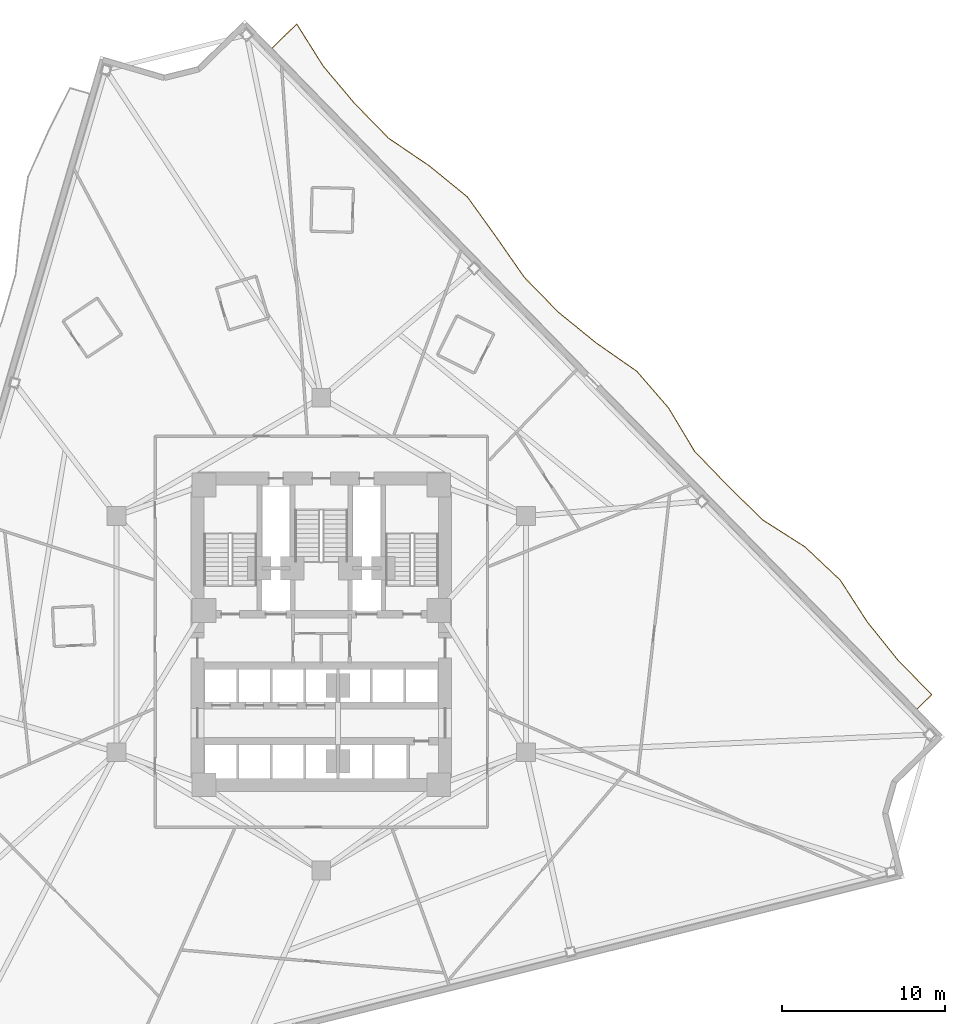
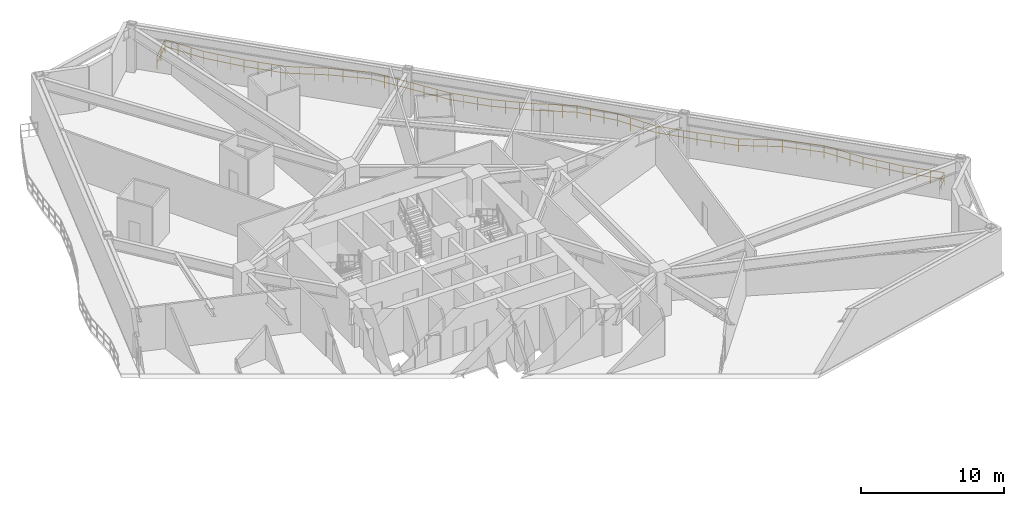
# One storey, part 9 of 9: 1 railing.
"""IFC4 building model written with IfcOpenShell, lengths in metres."""

from ifc_helpers import new_model, si_unit, direction, frame, origin, origin_2d, place, context, subcontext, project, spatial, rectangle, extrude, material, type_object, element, save


model = new_model("IFC4")

# Units and contexts
model_context = context("Model", 3, precision=1e-05, world=origin(), true_north=direction((0.0, 1.0)))
body_context = subcontext(model_context, "Body", "Model", "MODEL_VIEW")
ifc_project = project(units=[si_unit("LENGTHUNIT", "METRE"), si_unit("AREAUNIT", "SQUARE_METRE"), si_unit("VOLUMEUNIT", "CUBIC_METRE"), si_unit("PLANEANGLEUNIT", "RADIAN"), si_unit("MASSUNIT", "GRAM", prefix="KILO")], contexts=[model_context])

# Site, building, storey
site_placement = place(None, origin())
site = spatial("IfcSite", under=ifc_project, at=site_placement, CompositionType="ELEMENT")
building_placement = place(site_placement, origin())
building = spatial("IfcBuilding", under=site, at=building_placement, Name="Apsidion Concourse Tower", CompositionType="ELEMENT")
storey_placement = place(building_placement, frame((0.0, 0.0, 103.0)))
storey = spatial("IfcBuildingStorey", under=building, at=storey_placement, Name="L23", CompositionType="ELEMENT", Elevation=103.0)

# Railing
ifc_material = material(Name="Brushed stainless steel 316", Category="steel")
railing_type = type_object("IfcRailingType", Name="RL-BAL-1120", PredefinedType="BALUSTRADE", material=ifc_material)
railing_placement = place(storey_placement, frame((-3.018310546875, 35.96728515625, 0.0)))
element("IfcRailing", 1, at=railing_placement, inside=storey, type_object=railing_type, Name="L23 Face 3 Rippling Balcony Balustrade", PredefinedType="BALUSTRADE", context=body_context, shape_type="SweptSolid", body=[
    extrude(rectangle(XDim=0.048095703125, YDim=0.048095703125, at=origin_2d()), frame((0.0, 0.0, 1.09619140625), z_axis=(0.715601695949, 0.698508563122, 0.0), x_axis=(-0.698508563122, 0.715601695949, 0.0)), (0.0, 0.0, 1.0), 2.11376953125),
    extrude(rectangle(XDim=0.048095703125, YDim=0.048095703125, at=origin_2d()), frame((0.0, 0.0, 0.5361328125), z_axis=(0.715601695949, 0.698508563122, 0.0), x_axis=(-0.698508563122, 0.715601695949, 0.0)), (0.0, 0.0, 1.0), 2.11376953125),
    extrude(rectangle(XDim=0.048095703125, YDim=0.048095703125, at=origin_2d()), frame((1.5126953125, 1.4765625, 1.09619140625), z_axis=(0.532233811045, -0.846597407497, 0.0), x_axis=(0.846597407497, 0.532233811045, 0.0)), (0.0, 0.0, 1.0), 3.05126953125),
    extrude(rectangle(XDim=0.048095703125, YDim=0.048095703125, at=origin_2d()), frame((1.5126953125, 1.4765625, 0.5361328125), z_axis=(0.532233811045, -0.846597407497, 0.0), x_axis=(0.846597407497, 0.532233811045, 0.0)), (0.0, 0.0, 1.0), 3.05126953125),
    extrude(rectangle(XDim=0.048095703125, YDim=0.048095703125, at=origin_2d()), frame((3.13671875, -1.106689453125, 1.09619140625), z_axis=(0.643502133269, -0.76544431834, 0.0), x_axis=(0.76544431834, 0.643502133269, 0.0)), (0.0, 0.0, 1.0), 2.9912109375),
    extrude(rectangle(XDim=0.048095703125, YDim=0.048095703125, at=origin_2d()), frame((3.13671875, -1.106689453125, 0.5361328125), z_axis=(0.643502133269, -0.76544431834, 0.0), x_axis=(0.76544431834, 0.643502133269, 0.0)), (0.0, 0.0, 1.0), 2.9912109375),
    extrude(rectangle(XDim=0.048095703125, YDim=0.048095703125, at=origin_2d()), frame((5.0615234375, -3.396240234375, 1.09619140625), z_axis=(0.698460887015, -0.715648230145, 0.0), x_axis=(0.715648230145, 0.698460887015, 0.0)), (0.0, 0.0, 1.0), 2.98291015625),
    extrude(rectangle(XDim=0.048095703125, YDim=0.048095703125, at=origin_2d()), frame((5.0615234375, -3.396240234375, 0.5361328125), z_axis=(0.698460887015, -0.715648230145, 0.0), x_axis=(0.715648230145, 0.698460887015, 0.0)), (0.0, 0.0, 1.0), 2.98291015625),
    extrude(rectangle(XDim=0.048095703125, YDim=0.048095703125, at=origin_2d()), frame((7.14501953125, -5.531005859375, 1.09619140625), z_axis=(0.827332019619, -0.561713209132, 0.0), x_axis=(0.561713209132, 0.827332019619, 0.0)), (0.0, 0.0, 1.0), 3.044189453125),
    extrude(rectangle(XDim=0.048095703125, YDim=0.048095703125, at=origin_2d()), frame((7.14501953125, -5.531005859375, 0.5361328125), z_axis=(0.827332019619, -0.561713209132, 0.0), x_axis=(0.561713209132, 0.827332019619, 0.0)), (0.0, 0.0, 1.0), 3.044189453125),
    extrude(rectangle(XDim=0.048095703125, YDim=0.048095703125, at=origin_2d()), frame((9.66357421875, -7.240966796875, 1.09619140625), z_axis=(0.774891224857, -0.632094604976, 0.0), x_axis=(0.632094604976, 0.774891224857, 0.0)), (0.0, 0.0, 1.0), 3.002197265625),
    extrude(rectangle(XDim=0.048095703125, YDim=0.048095703125, at=origin_2d()), frame((9.66357421875, -7.240966796875, 0.5361328125), z_axis=(0.774891224857, -0.632094604976, 0.0), x_axis=(0.632094604976, 0.774891224857, 0.0)), (0.0, 0.0, 1.0), 3.002197265625),
    extrude(rectangle(XDim=0.048095703125, YDim=0.048095703125, at=origin_2d()), frame((11.989990234375, -9.138671875, 1.09619140625), z_axis=(0.583547668514, -0.812078886914, 0.0), x_axis=(0.812078886914, 0.583547668514, 0.0)), (0.0, 0.0, 1.0), 3.016845703125),
    extrude(rectangle(XDim=0.048095703125, YDim=0.048095703125, at=origin_2d()), frame((11.989990234375, -9.138671875, 0.5361328125), z_axis=(0.583547668514, -0.812078886914, 0.0), x_axis=(0.812078886914, 0.583547668514, 0.0)), (0.0, 0.0, 1.0), 3.016845703125),
    extrude(rectangle(XDim=0.048095703125, YDim=0.048095703125, at=origin_2d()), frame((13.75048828125, -11.588623046875, 1.09619140625), z_axis=(0.571705383629, -0.820458990035, 0.0), x_axis=(0.820458990035, 0.571705383629, 0.0)), (0.0, 0.0, 1.0), 3.02392578125),
    extrude(rectangle(XDim=0.048095703125, YDim=0.048095703125, at=origin_2d()), frame((13.75048828125, -11.588623046875, 0.5361328125), z_axis=(0.571705383629, -0.820458990035, 0.0), x_axis=(0.820458990035, 0.571705383629, 0.0)), (0.0, 0.0, 1.0), 3.02392578125),
    extrude(rectangle(XDim=0.048095703125, YDim=0.048095703125, at=origin_2d()), frame((15.479248046875, -14.069580078125, 1.09619140625), z_axis=(0.698501798427, -0.715608298998, 0.0), x_axis=(0.715608298998, 0.698501798427, 0.0)), (0.0, 0.0, 1.0), 2.98291015625),
    extrude(rectangle(XDim=0.048095703125, YDim=0.048095703125, at=origin_2d()), frame((15.479248046875, -14.069580078125, 0.5361328125), z_axis=(0.698501798427, -0.715608298998, 0.0), x_axis=(0.715608298998, 0.698501798427, 0.0)), (0.0, 0.0, 1.0), 2.98291015625),
    extrude(rectangle(XDim=0.048095703125, YDim=0.048095703125, at=origin_2d()), frame((17.562744140625, -16.2041015625, 1.09619140625), z_axis=(0.775758226565, -0.631030248021, 0.0), x_axis=(0.631030248021, 0.775758226565, 0.0)), (0.0, 0.0, 1.0), 3.002685546875),
    extrude(rectangle(XDim=0.048095703125, YDim=0.048095703125, at=origin_2d()), frame((17.562744140625, -16.2041015625, 0.5361328125), z_axis=(0.775758226565, -0.631030248021, 0.0), x_axis=(0.631030248021, 0.775758226565, 0.0)), (0.0, 0.0, 1.0), 3.002685546875),
    extrude(rectangle(XDim=0.048095703125, YDim=0.048095703125, at=origin_2d()), frame((19.89208984375, -18.098876953125, 1.09619140625), z_axis=(0.820574101382, -0.571540150943, 0.0), x_axis=(0.571540150943, 0.820574101382, 0.0)), (0.0, 0.0, 1.0), 3.037109375),
    extrude(rectangle(XDim=0.048095703125, YDim=0.048095703125, at=origin_2d()), frame((19.89208984375, -18.098876953125, 0.5361328125), z_axis=(0.820574101382, -0.571540150943, 0.0), x_axis=(0.571540150943, 0.820574101382, 0.0)), (0.0, 0.0, 1.0), 3.037109375),
    extrude(rectangle(XDim=0.048095703125, YDim=0.048095703125, at=origin_2d()), frame((22.38427734375, -19.834716796875, 1.09619140625), z_axis=(0.654155722508, -0.756359894964, 0.0), x_axis=(0.756359894964, 0.654155722508, 0.0)), (0.0, 0.0, 1.0), 2.98828125),
    extrude(rectangle(XDim=0.048095703125, YDim=0.048095703125, at=origin_2d()), frame((22.38427734375, -19.834716796875, 0.5361328125), z_axis=(0.654155722508, -0.756359894964, 0.0), x_axis=(0.756359894964, 0.654155722508, 0.0)), (0.0, 0.0, 1.0), 2.98828125),
    extrude(rectangle(XDim=0.048095703125, YDim=0.048095703125, at=origin_2d()), frame((24.339111328125, -22.094970703125, 1.09619140625), z_axis=(0.513511946828, -0.858082443862, 0.0), x_axis=(0.858082443862, 0.513511946828, 0.0)), (0.0, 0.0, 1.0), 3.066650390625),
    extrude(rectangle(XDim=0.048095703125, YDim=0.048095703125, at=origin_2d()), frame((24.339111328125, -22.094970703125, 0.5361328125), z_axis=(0.513511946828, -0.858082443862, 0.0), x_axis=(0.858082443862, 0.513511946828, 0.0)), (0.0, 0.0, 1.0), 3.066650390625),
    extrude(rectangle(XDim=0.048095703125, YDim=0.048095703125, at=origin_2d()), frame((25.913818359375, -24.726318359375, 1.09619140625), z_axis=(0.692889511455, -0.721043774618, 0.0), x_axis=(0.721043774618, 0.692889511455, 0.0)), (0.0, 0.0, 1.0), 2.98291015625),
    extrude(rectangle(XDim=0.048095703125, YDim=0.048095703125, at=origin_2d()), frame((25.913818359375, -24.726318359375, 0.5361328125), z_axis=(0.692889511455, -0.721043774618, 0.0), x_axis=(0.721043774618, 0.692889511455, 0.0)), (0.0, 0.0, 1.0), 2.98291015625),
    extrude(rectangle(XDim=0.048095703125, YDim=0.048095703125, at=origin_2d()), frame((27.980712890625, -26.877197265625, 1.09619140625), z_axis=(0.715403763463, -0.698711281735, 0.0), x_axis=(0.698711281735, 0.715403763463, 0.0)), (0.0, 0.0, 1.0), 2.983642578125),
    extrude(rectangle(XDim=0.048095703125, YDim=0.048095703125, at=origin_2d()), frame((27.980712890625, -26.877197265625, 0.5361328125), z_axis=(0.715403763463, -0.698711281735, 0.0), x_axis=(0.698711281735, 0.715403763463, 0.0)), (0.0, 0.0, 1.0), 2.983642578125),
    extrude(rectangle(XDim=0.048095703125, YDim=0.048095703125, at=origin_2d()), frame((30.115234375, -28.9619140625, 1.09619140625), z_axis=(0.843559764911, -0.537035308917, 0.0), x_axis=(0.537035308917, 0.843559764911, 0.0)), (0.0, 0.0, 1.0), 3.06396484375),
    extrude(rectangle(XDim=0.048095703125, YDim=0.048095703125, at=origin_2d()), frame((30.115234375, -28.9619140625, 0.5361328125), z_axis=(0.843559764911, -0.537035308917, 0.0), x_axis=(0.537035308917, 0.843559764911, 0.0)), (0.0, 0.0, 1.0), 3.06396484375),
    extrude(rectangle(XDim=0.048095703125, YDim=0.048095703125, at=origin_2d()), frame((32.699951171875, -30.607421875, 1.09619140625), z_axis=(0.727532261675, -0.686073471446, 0.0), x_axis=(0.686073471446, 0.727532261675, 0.0)), (0.0, 0.0, 1.0), 2.985595703125),
    extrude(rectangle(XDim=0.048095703125, YDim=0.048095703125, at=origin_2d()), frame((32.699951171875, -30.607421875, 0.5361328125), z_axis=(0.727532261675, -0.686073471446, 0.0), x_axis=(0.686073471446, 0.727532261675, 0.0)), (0.0, 0.0, 1.0), 2.985595703125),
    extrude(rectangle(XDim=0.048095703125, YDim=0.048095703125, at=origin_2d()), frame((34.8720703125, -32.65576171875, 1.09619140625), z_axis=(0.542515996891, -0.840045470863, 0.0), x_axis=(0.840045470863, 0.542515996891, 0.0)), (0.0, 0.0, 1.0), 3.04345703125),
    extrude(rectangle(XDim=0.048095703125, YDim=0.048095703125, at=origin_2d()), frame((34.8720703125, -32.65576171875, 0.5361328125), z_axis=(0.542515996891, -0.840045470863, 0.0), x_axis=(0.840045470863, 0.542515996891, 0.0)), (0.0, 0.0, 1.0), 3.04345703125),
    extrude(rectangle(XDim=0.048095703125, YDim=0.048095703125, at=origin_2d()), frame((36.523193359375, -35.21240234375, 1.09619140625), z_axis=(0.62565812851, -0.78009736971, 0.0), x_axis=(0.78009736971, 0.62565812851, 0.0)), (0.0, 0.0, 1.0), 2.997314453125),
    extrude(rectangle(XDim=0.048095703125, YDim=0.048095703125, at=origin_2d()), frame((36.523193359375, -35.21240234375, 0.5361328125), z_axis=(0.62565812851, -0.78009736971, 0.0), x_axis=(0.78009736971, 0.62565812851, 0.0)), (0.0, 0.0, 1.0), 2.997314453125),
    extrude(rectangle(XDim=0.048095703125, YDim=0.048095703125, at=origin_2d()), frame((38.3984375, -37.550537109375, 1.09619140625), z_axis=(0.698460887015, -0.715648230145, 0.0), x_axis=(0.715648230145, 0.698460887015, 0.0)), (0.0, 0.0, 1.0), 2.98291015625),
    extrude(rectangle(XDim=0.048095703125, YDim=0.048095703125, at=origin_2d()), frame((38.3984375, -37.550537109375, 0.5361328125), z_axis=(0.698460887015, -0.715648230145, 0.0), x_axis=(0.715648230145, 0.698460887015, 0.0)), (0.0, 0.0, 1.0), 2.98291015625),
    extrude(rectangle(XDim=0.048095703125, YDim=0.048095703125, at=origin_2d()), frame((40.48193359375, -39.685302734375, 1.09619140625), z_axis=(-0.715648587439, -0.698460520929, 0.0), x_axis=(0.698460520929, -0.715648587439, 0.0)), (0.0, 0.0, 1.0), 1.25),
    extrude(rectangle(XDim=0.048095703125, YDim=0.048095703125, at=origin_2d()), frame((40.48193359375, -39.685302734375, 0.5361328125), z_axis=(-0.715648587439, -0.698460520929, 0.0), x_axis=(0.698460520929, -0.715648587439, 0.0)), (0.0, 0.0, 1.0), 1.25),
    extrude(rectangle(XDim=0.0419921875, YDim=0.0419921875, at=origin_2d()), origin(), (0.0, 0.0, 1.0), 1.072021484375),
    extrude(rectangle(XDim=0.0419921875, YDim=0.0419921875, at=origin_2d()), frame((0.75634765625, 0.73828125, 0.0)), (0.0, 0.0, 1.0), 1.072021484375),
    extrude(rectangle(XDim=0.0419921875, YDim=0.0419921875, at=origin_2d()), frame((1.5126953125, 1.4765625, 0.0)), (0.0, 0.0, 1.0), 1.072021484375),
    extrude(rectangle(XDim=0.0419921875, YDim=0.0419921875, at=origin_2d()), frame((2.053955078125, 0.615478515625, 0.0)), (0.0, 0.0, 1.0), 1.072021484375),
    extrude(rectangle(XDim=0.0419921875, YDim=0.0419921875, at=origin_2d()), frame((2.595458984375, -0.24560546875, 0.0)), (0.0, 0.0, 1.0), 1.072021484375),
    extrude(rectangle(XDim=0.0419921875, YDim=0.0419921875, at=origin_2d()), frame((3.13671875, -1.106689453125, 0.0)), (0.0, 0.0, 1.0), 1.072021484375),
    extrude(rectangle(XDim=0.0419921875, YDim=0.0419921875, at=origin_2d()), frame((3.7783203125, -1.869873046875, 0.0)), (0.0, 0.0, 1.0), 1.072021484375),
    extrude(rectangle(XDim=0.0419921875, YDim=0.0419921875, at=origin_2d()), frame((4.419921875, -2.633056640625, 0.0)), (0.0, 0.0, 1.0), 1.072021484375),
    extrude(rectangle(XDim=0.0419921875, YDim=0.0419921875, at=origin_2d()), frame((5.0615234375, -3.396240234375, 0.0)), (0.0, 0.0, 1.0), 1.072021484375),
    extrude(rectangle(XDim=0.0419921875, YDim=0.0419921875, at=origin_2d()), frame((5.756103515625, -4.10791015625, 0.0)), (0.0, 0.0, 1.0), 1.072021484375),
    extrude(rectangle(XDim=0.0419921875, YDim=0.0419921875, at=origin_2d()), frame((6.450439453125, -4.8193359375, 0.0)), (0.0, 0.0, 1.0), 1.072021484375),
    extrude(rectangle(XDim=0.0419921875, YDim=0.0419921875, at=origin_2d()), frame((7.14501953125, -5.531005859375, 0.0)), (0.0, 0.0, 1.0), 1.072021484375),
    extrude(rectangle(XDim=0.0419921875, YDim=0.0419921875, at=origin_2d()), frame((7.984619140625, -6.10107421875, 0.0)), (0.0, 0.0, 1.0), 1.072021484375),
    extrude(rectangle(XDim=0.0419921875, YDim=0.0419921875, at=origin_2d()), frame((8.823974609375, -6.6708984375, 0.0)), (0.0, 0.0, 1.0), 1.072021484375),
    extrude(rectangle(XDim=0.0419921875, YDim=0.0419921875, at=origin_2d()), frame((9.66357421875, -7.240966796875, 0.0)), (0.0, 0.0, 1.0), 1.072021484375),
    extrude(rectangle(XDim=0.0419921875, YDim=0.0419921875, at=origin_2d()), frame((10.43896484375, -7.87353515625, 0.0)), (0.0, 0.0, 1.0), 1.072021484375),
    extrude(rectangle(XDim=0.0419921875, YDim=0.0419921875, at=origin_2d()), frame((11.214599609375, -8.506103515625, 0.0)), (0.0, 0.0, 1.0), 1.072021484375),
    extrude(rectangle(XDim=0.0419921875, YDim=0.0419921875, at=origin_2d()), frame((11.989990234375, -9.138671875, 0.0)), (0.0, 0.0, 1.0), 1.072021484375),
    extrude(rectangle(XDim=0.0419921875, YDim=0.0419921875, at=origin_2d()), frame((12.576904296875, -9.955322265625, 0.0)), (0.0, 0.0, 1.0), 1.072021484375),
    extrude(rectangle(XDim=0.0419921875, YDim=0.0419921875, at=origin_2d()), frame((13.16357421875, -10.77197265625, 0.0)), (0.0, 0.0, 1.0), 1.072021484375),
    extrude(rectangle(XDim=0.0419921875, YDim=0.0419921875, at=origin_2d()), frame((13.75048828125, -11.588623046875, 0.0)), (0.0, 0.0, 1.0), 1.072021484375),
    extrude(rectangle(XDim=0.0419921875, YDim=0.0419921875, at=origin_2d()), frame((14.32666015625, -12.41552734375, 0.0)), (0.0, 0.0, 1.0), 1.072021484375),
    extrude(rectangle(XDim=0.0419921875, YDim=0.0419921875, at=origin_2d()), frame((14.903076171875, -13.24267578125, 0.0)), (0.0, 0.0, 1.0), 1.072021484375),
    extrude(rectangle(XDim=0.0419921875, YDim=0.0419921875, at=origin_2d()), frame((15.479248046875, -14.069580078125, 0.0)), (0.0, 0.0, 1.0), 1.072021484375),
    extrude(rectangle(XDim=0.0419921875, YDim=0.0419921875, at=origin_2d()), frame((16.173828125, -14.781005859375, 0.0)), (0.0, 0.0, 1.0), 1.072021484375),
    extrude(rectangle(XDim=0.0419921875, YDim=0.0419921875, at=origin_2d()), frame((16.8681640625, -15.49267578125, 0.0)), (0.0, 0.0, 1.0), 1.072021484375),
    extrude(rectangle(XDim=0.0419921875, YDim=0.0419921875, at=origin_2d()), frame((17.562744140625, -16.2041015625, 0.0)), (0.0, 0.0, 1.0), 1.072021484375),
    extrude(rectangle(XDim=0.0419921875, YDim=0.0419921875, at=origin_2d()), frame((18.339111328125, -16.835693359375, 0.0)), (0.0, 0.0, 1.0), 1.072021484375),
    extrude(rectangle(XDim=0.0419921875, YDim=0.0419921875, at=origin_2d()), frame((19.11572265625, -17.46728515625, 0.0)), (0.0, 0.0, 1.0), 1.072021484375),
    extrude(rectangle(XDim=0.0419921875, YDim=0.0419921875, at=origin_2d()), frame((19.89208984375, -18.098876953125, 0.0)), (0.0, 0.0, 1.0), 1.072021484375),
    extrude(rectangle(XDim=0.0419921875, YDim=0.0419921875, at=origin_2d()), frame((20.722900390625, -18.677490234375, 0.0)), (0.0, 0.0, 1.0), 1.072021484375),
    extrude(rectangle(XDim=0.0419921875, YDim=0.0419921875, at=origin_2d()), frame((21.553466796875, -19.256103515625, 0.0)), (0.0, 0.0, 1.0), 1.072021484375),
    extrude(rectangle(XDim=0.0419921875, YDim=0.0419921875, at=origin_2d()), frame((22.38427734375, -19.834716796875, 0.0)), (0.0, 0.0, 1.0), 1.072021484375),
    extrude(rectangle(XDim=0.0419921875, YDim=0.0419921875, at=origin_2d()), frame((23.035888671875, -20.588134765625, 0.0)), (0.0, 0.0, 1.0), 1.072021484375),
    extrude(rectangle(XDim=0.0419921875, YDim=0.0419921875, at=origin_2d()), frame((23.6875, -21.341552734375, 0.0)), (0.0, 0.0, 1.0), 1.072021484375),
    extrude(rectangle(XDim=0.0419921875, YDim=0.0419921875, at=origin_2d()), frame((24.339111328125, -22.094970703125, 0.0)), (0.0, 0.0, 1.0), 1.072021484375),
    extrude(rectangle(XDim=0.0419921875, YDim=0.0419921875, at=origin_2d()), frame((24.864013671875, -22.97216796875, 0.0)), (0.0, 0.0, 1.0), 1.072021484375),
    extrude(rectangle(XDim=0.0419921875, YDim=0.0419921875, at=origin_2d()), frame((25.388916015625, -23.84912109375, 0.0)), (0.0, 0.0, 1.0), 1.072021484375),
    extrude(rectangle(XDim=0.0419921875, YDim=0.0419921875, at=origin_2d()), frame((25.913818359375, -24.726318359375, 0.0)), (0.0, 0.0, 1.0), 1.072021484375),
    extrude(rectangle(XDim=0.0419921875, YDim=0.0419921875, at=origin_2d()), frame((26.602783203125, -25.443359375, 0.0)), (0.0, 0.0, 1.0), 1.072021484375),
    extrude(rectangle(XDim=0.0419921875, YDim=0.0419921875, at=origin_2d()), frame((27.291748046875, -26.16015625, 0.0)), (0.0, 0.0, 1.0), 1.072021484375),
    extrude(rectangle(XDim=0.0419921875, YDim=0.0419921875, at=origin_2d()), frame((27.980712890625, -26.877197265625, 0.0)), (0.0, 0.0, 1.0), 1.072021484375),
    extrude(rectangle(XDim=0.0419921875, YDim=0.0419921875, at=origin_2d()), frame((28.692138671875, -27.572021484375, 0.0)), (0.0, 0.0, 1.0), 1.072021484375),
    extrude(rectangle(XDim=0.0419921875, YDim=0.0419921875, at=origin_2d()), frame((29.40380859375, -28.26708984375, 0.0)), (0.0, 0.0, 1.0), 1.072021484375),
    extrude(rectangle(XDim=0.0419921875, YDim=0.0419921875, at=origin_2d()), frame((30.115234375, -28.9619140625, 0.0)), (0.0, 0.0, 1.0), 1.072021484375),
    extrude(rectangle(XDim=0.0419921875, YDim=0.0419921875, at=origin_2d()), frame((30.976806640625, -29.510498046875, 0.0)), (0.0, 0.0, 1.0), 1.072021484375),
    extrude(rectangle(XDim=0.0419921875, YDim=0.0419921875, at=origin_2d()), frame((31.83837890625, -30.058837890625, 0.0)), (0.0, 0.0, 1.0), 1.072021484375),
    extrude(rectangle(XDim=0.0419921875, YDim=0.0419921875, at=origin_2d()), frame((32.699951171875, -30.607421875, 0.0)), (0.0, 0.0, 1.0), 1.072021484375),
    extrude(rectangle(XDim=0.0419921875, YDim=0.0419921875, at=origin_2d()), frame((33.424072265625, -31.290283203125, 0.0)), (0.0, 0.0, 1.0), 1.072021484375),
    extrude(rectangle(XDim=0.0419921875, YDim=0.0419921875, at=origin_2d()), frame((34.14794921875, -31.972900390625, 0.0)), (0.0, 0.0, 1.0), 1.072021484375),
    extrude(rectangle(XDim=0.0419921875, YDim=0.0419921875, at=origin_2d()), frame((34.8720703125, -32.65576171875, 0.0)), (0.0, 0.0, 1.0), 1.072021484375),
    extrude(rectangle(XDim=0.0419921875, YDim=0.0419921875, at=origin_2d()), frame((35.42236328125, -33.508056640625, 0.0)), (0.0, 0.0, 1.0), 1.072021484375),
    extrude(rectangle(XDim=0.0419921875, YDim=0.0419921875, at=origin_2d()), frame((35.972900390625, -34.360107421875, 0.0)), (0.0, 0.0, 1.0), 1.072021484375),
    extrude(rectangle(XDim=0.0419921875, YDim=0.0419921875, at=origin_2d()), frame((36.523193359375, -35.21240234375, 0.0)), (0.0, 0.0, 1.0), 1.072021484375),
    extrude(rectangle(XDim=0.0419921875, YDim=0.0419921875, at=origin_2d()), frame((37.148193359375, -35.99169921875, 0.0)), (0.0, 0.0, 1.0), 1.072021484375),
    extrude(rectangle(XDim=0.0419921875, YDim=0.0419921875, at=origin_2d()), frame((37.7734375, -36.771240234375, 0.0)), (0.0, 0.0, 1.0), 1.072021484375),
    extrude(rectangle(XDim=0.0419921875, YDim=0.0419921875, at=origin_2d()), frame((38.3984375, -37.550537109375, 0.0)), (0.0, 0.0, 1.0), 1.072021484375),
    extrude(rectangle(XDim=0.0419921875, YDim=0.0419921875, at=origin_2d()), frame((39.093017578125, -38.26220703125, 0.0)), (0.0, 0.0, 1.0), 1.072021484375),
    extrude(rectangle(XDim=0.0419921875, YDim=0.0419921875, at=origin_2d()), frame((39.787353515625, -38.9736328125, 0.0)), (0.0, 0.0, 1.0), 1.072021484375),
    extrude(rectangle(XDim=0.0419921875, YDim=0.0419921875, at=origin_2d()), frame((40.48193359375, -39.685302734375, 0.0)), (0.0, 0.0, 1.0), 1.072021484375),
    extrude(rectangle(XDim=0.0419921875, YDim=0.0419921875, at=origin_2d()), frame((40.03466796875, -40.121826171875, 0.0)), (0.0, 0.0, 1.0), 1.072021484375),
    extrude(rectangle(XDim=0.0419921875, YDim=0.0419921875, at=origin_2d()), frame((39.58740234375, -40.558349609375, 0.0)), (0.0, 0.0, 1.0), 1.072021484375),
])

save(model, "model.ifc")
